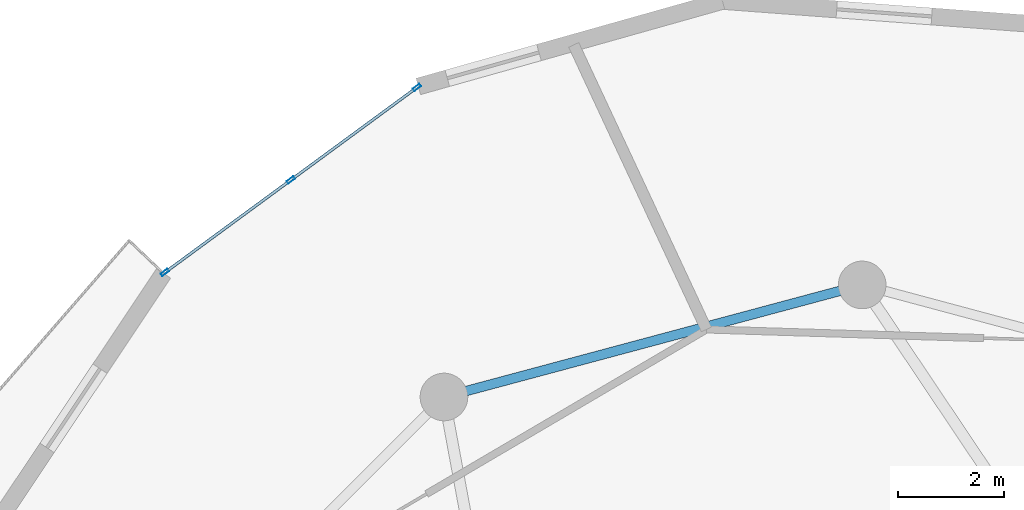
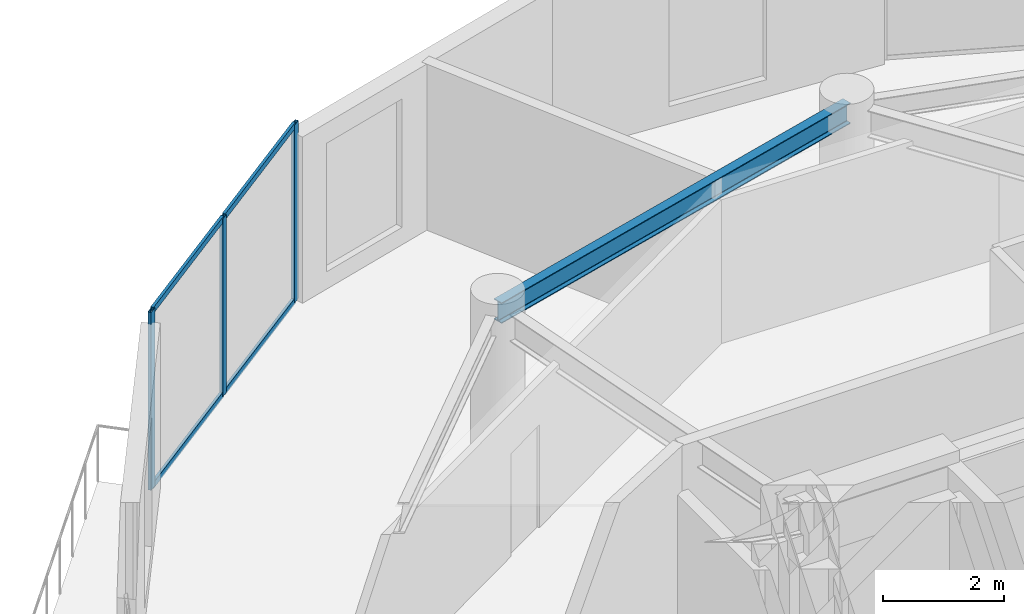
# One storey, part 11 of 18: 7 members, 1 beam, 1 element without a shape of its own.
"""IFC4 building model written with IfcOpenShell, lengths in metres."""

from ifc_helpers import new_model, si_unit, direction, frame, origin, origin_2d, place, context, subcontext, project, spatial, hollow_rectangle, i_section, extrude, source, transform, mapped, material, layer, layer_set, material_profile, profile_set, type_object, element, aggregate, save


model = new_model("IFC4")

# Units and contexts
model_context = context("Model", 3, precision=1e-05, world=origin(), true_north=direction((0.0, 1.0)))
body_context = subcontext(model_context, "Body", "Model", "MODEL_VIEW")
ifc_project = project(units=[si_unit("LENGTHUNIT", "METRE"), si_unit("AREAUNIT", "SQUARE_METRE"), si_unit("VOLUMEUNIT", "CUBIC_METRE"), si_unit("PLANEANGLEUNIT", "RADIAN"), si_unit("MASSUNIT", "GRAM", prefix="KILO")], contexts=[model_context])

# Site, building, storey
site_placement = place(None, origin())
site = spatial("IfcSite", under=ifc_project, at=site_placement, CompositionType="ELEMENT")
building_placement = place(site_placement, origin())
building = spatial("IfcBuilding", under=site, at=building_placement, Name="Solvirekh Grand Hotel", CompositionType="ELEMENT")
storey_placement = place(building_placement, frame((0.0, 0.0, 202.0)))
storey = spatial("IfcBuildingStorey", under=building, at=storey_placement, Name="L52", CompositionType="ELEMENT", Elevation=202.0)

# Beam
ifc_material_1 = material(Name="Steel S355", Category="steel")
ifc_material_profile_1 = material_profile(ifc_material_1, i_section(OverallWidth=0.180908203125, OverallDepth=0.4169921875, WebThickness=0.010009765625, FlangeThickness=0.01611328125, FilletRadius=0.011962890625, at=origin_2d()), Name="W410X85")
ifc_profile_set_1 = profile_set([ifc_material_profile_1], Name="Steel S355")
beam_type = type_object("IfcBeamType", Name="Spandrel_Ring_W410", PredefinedType="SPANDREL", material=ifc_profile_set_1)
beam_placement = place(storey_placement, frame((0.0, 15.800048828125, 3.152099609375), z_axis=(-0.965920601923, -0.258838541915, 0.0), x_axis=(0.258838541915, -0.965920601923, 0.0)))
element("IfcBeam", 1, at=beam_placement, inside=storey, type_object=beam_type, Name="L52 perimeter spandrel beam 4", PredefinedType="SPANDREL", context=body_context, shape_type="SweptSolid", body=[
    extrude(i_section(OverallWidth=0.180908203125, OverallDepth=0.4169921875, WebThickness=0.010009765625, FlangeThickness=0.01611328125, FilletRadius=0.011962890625, at=origin_2d()), origin(), (0.0, 0.0, 1.0), 8.1787109375),
])

# Curtain wall, members
ifc_material_2 = material(Name="Anodized Bronze Aluminium 6063-T6", Category="aluminium")
ifc_layer = layer(ifc_material_2, 0.159912109375)
ifc_layer_set = layer_set([ifc_layer], Name="Anodized Bronze Aluminium 6063-T6")
curtain_wall_type = type_object("IfcCurtainWallType", Name="CW_Sys4_HighZoneFlushBronzeCW", PredefinedType="NOTDEFINED", material=ifc_layer_set)
curtain_wall_placement = place(storey_placement, origin())
curtain_wall = element("IfcCurtainWall", 2, at=curtain_wall_placement, inside=storey, type_object=curtain_wall_type, Name="L52 unitised bronze-glass curtain wall CW-L52-C11", PredefinedType="NOTDEFINED")
ifc_material_profile_2 = material_profile(ifc_material_2, hollow_rectangle(XDim=0.06005859375, YDim=0.159912109375, WallThickness=0.0048828125, at=origin_2d()), Name="ALU RHS 160X60X5")
ifc_profile_set_2 = profile_set([ifc_material_profile_2], Name="Anodized Bronze Aluminium 6063-T6")
member_type_1 = type_object("IfcMemberType", Name="CWMullion_Sys4", PredefinedType="MULLION", material=ifc_profile_set_2)
shared_shape_1 = source(origin(), body_context, "Body", "SweptSolid", [
    extrude(hollow_rectangle(XDim=0.06005859375, YDim=0.159912109375, WallThickness=0.0048828125, at=origin_2d()), origin(), (0.0, 0.0, 1.0), 3.60009765625),
])
member_1_placement = place(storey_placement, frame((-8.4091796875, 19.53125, 0.0), z_axis=(0.0, 0.0, 1.0), x_axis=(0.591763193418, -0.80611185509, 0.0)))
member_1 = element("IfcMember", 3, at=member_1_placement, type_object=member_type_1, Name="U04 mullion 1", PredefinedType="MULLION", context=body_context, shape_type="MappedRepresentation", body=[
    mapped(shared_shape_1, transform((0.0, 0.0, 0.0), x_axis=(1.0, 0.0, 0.0), y_axis=(0.0, 1.0, 0.0), z_axis=(0.0, 0.0, 1.0), scale=1.0)),
])
member_2_placement = place(storey_placement, frame((-10.7900390625, 17.783447265625, 0.0), z_axis=(0.0, 0.0, 1.0), x_axis=(0.591763193418, -0.80611185509, 0.0)))
member_2 = element("IfcMember", 4, at=member_2_placement, type_object=member_type_1, Name="U04 mullion 2", PredefinedType="MULLION", context=body_context, shape_type="MappedRepresentation", body=[
    mapped(shared_shape_1, transform((0.0, 0.0, 0.0), x_axis=(1.0, 0.0, 0.0), y_axis=(0.0, 1.0, 0.0), z_axis=(0.0, 0.0, 1.0), scale=1.0)),
])
member_3_placement = place(storey_placement, frame((-13.1708984375, 16.03564453125, 0.0), z_axis=(0.0, 0.0, 1.0), x_axis=(0.591763193418, -0.80611185509, 0.0)))
member_3 = element("IfcMember", 5, at=member_3_placement, type_object=member_type_1, Name="U04 mullion 3", PredefinedType="MULLION", context=body_context, shape_type="MappedRepresentation", body=[
    mapped(shared_shape_1, transform((0.0, 0.0, 0.0), x_axis=(1.0, 0.0, 0.0), y_axis=(0.0, 1.0, 0.0), z_axis=(0.0, 0.0, 1.0), scale=1.0)),
])
ifc_material_profile_3 = material_profile(ifc_material_2, hollow_rectangle(XDim=0.054931640625, YDim=0.1201171875, WallThickness=0.00390625, at=origin_2d()), Name="ALU RHS 120X55X4")
ifc_profile_set_3 = profile_set([ifc_material_profile_3], Name="Anodized Bronze Aluminium 6063-T6")
member_type_2 = type_object("IfcMemberType", Name="CWTransom_Sys4", PredefinedType="USERDEFINED", material=ifc_profile_set_3)
shared_shape_2 = source(origin(), body_context, "Body", "SweptSolid", [
    extrude(hollow_rectangle(XDim=0.054931640625, YDim=0.1201171875, WallThickness=0.00390625, at=origin_2d()), origin(), (0.0, 0.0, 1.0), 2.8935546875),
])
member_4_placement = place(storey_placement, frame((-8.433349609375, 19.513427734375, 0.027587890625), z_axis=(-0.806133979444, -0.591733053992, 0.0), x_axis=(0.591733053992, -0.806133979444, 0.0)))
member_4 = element("IfcMember", 6, at=member_4_placement, type_object=member_type_2, Name="U04 transom 1.1", ObjectType="TRANSOM", PredefinedType="USERDEFINED", context=body_context, shape_type="MappedRepresentation", body=[
    mapped(shared_shape_2, transform((0.0, 0.0, 0.0), x_axis=(1.0, 0.0, 0.0), y_axis=(0.0, 1.0, 0.0), z_axis=(0.0, 0.0, 1.0), scale=1.0)),
])
member_5_placement = place(storey_placement, frame((-8.433349609375, 19.513427734375, 3.572509765625), z_axis=(-0.806133979444, -0.591733053992, 0.0), x_axis=(0.591733053992, -0.806133979444, 0.0)))
member_5 = element("IfcMember", 7, at=member_5_placement, type_object=member_type_2, Name="U04 transom 1.2", ObjectType="TRANSOM", PredefinedType="USERDEFINED", context=body_context, shape_type="MappedRepresentation", body=[
    mapped(shared_shape_2, transform((0.0, 0.0, 0.0), x_axis=(1.0, 0.0, 0.0), y_axis=(0.0, 1.0, 0.0), z_axis=(0.0, 0.0, 1.0), scale=1.0)),
])
member_6_placement = place(storey_placement, frame((-10.814208984375, 17.765869140625, 0.027587890625), z_axis=(-0.806093730593, -0.591787882183, 0.0), x_axis=(0.591787882183, -0.806093730593, 0.0)))
member_6 = element("IfcMember", 8, at=member_6_placement, type_object=member_type_2, Name="U04 transom 2.1", ObjectType="TRANSOM", PredefinedType="USERDEFINED", context=body_context, shape_type="MappedRepresentation", body=[
    mapped(shared_shape_2, transform((0.0, 0.0, 0.0), x_axis=(1.0, 0.0, 0.0), y_axis=(0.0, 1.0, 0.0), z_axis=(0.0, 0.0, 1.0), scale=1.0)),
])
member_7_placement = place(storey_placement, frame((-10.814208984375, 17.765869140625, 3.572509765625), z_axis=(-0.806093730593, -0.591787882183, 0.0), x_axis=(0.591787882183, -0.806093730593, 0.0)))
member_7 = element("IfcMember", 9, at=member_7_placement, type_object=member_type_2, Name="U04 transom 2.2", ObjectType="TRANSOM", PredefinedType="USERDEFINED", context=body_context, shape_type="MappedRepresentation", body=[
    mapped(shared_shape_2, transform((0.0, 0.0, 0.0), x_axis=(1.0, 0.0, 0.0), y_axis=(0.0, 1.0, 0.0), z_axis=(0.0, 0.0, 1.0), scale=1.0)),
])
aggregate(curtain_wall, [member_1, member_2, member_3, member_4, member_5, member_6, member_7])

save(model, "model.ifc")
